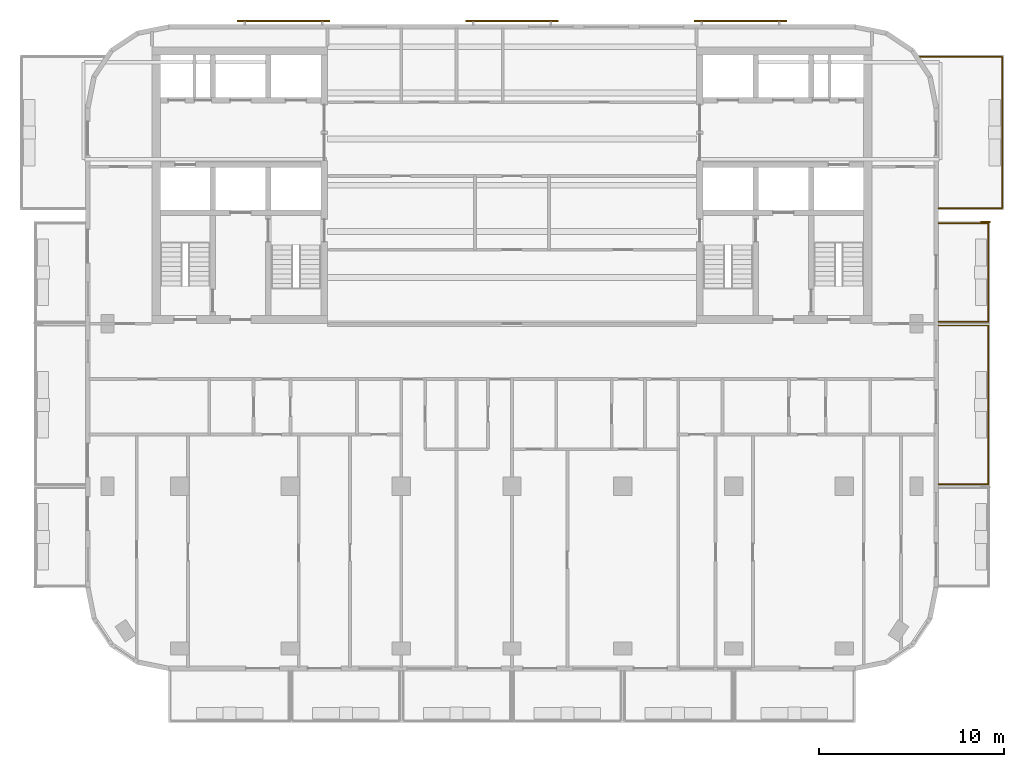
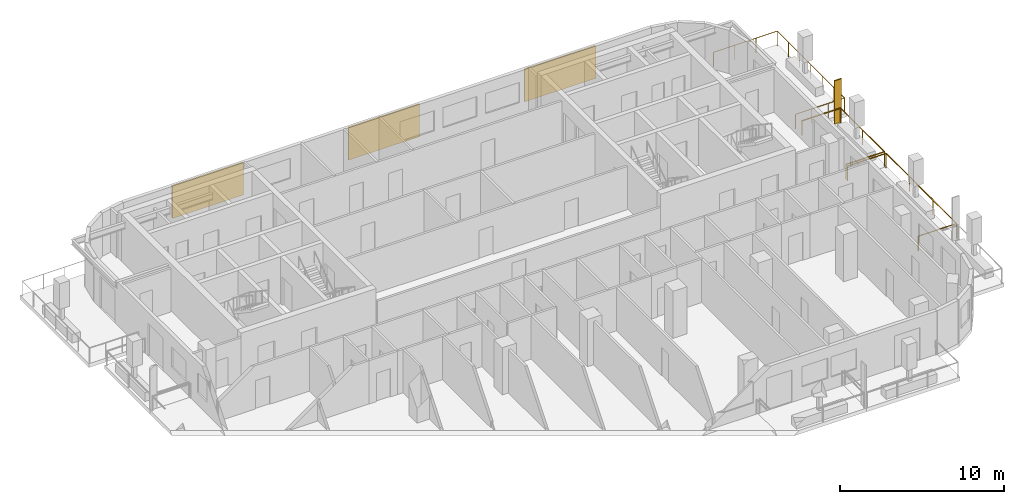
# One storey, part 10 of 11: 4 shading devices, 3 railings.
"""IFC4 building model written with IfcOpenShell, lengths in metres."""

from ifc_helpers import new_model, si_unit, direction, frame, origin, origin_2d, place, context, subcontext, project, spatial, rectangle, circle, extrude, material, layer, layer_set, type_object, element, save


model = new_model("IFC4")

# Units and contexts
model_context = context("Model", 3, precision=1e-05, world=origin(), true_north=direction((0.0, 1.0)))
body_context = subcontext(model_context, "Body", "Model", "MODEL_VIEW")
ifc_project = project(units=[si_unit("LENGTHUNIT", "METRE"), si_unit("AREAUNIT", "SQUARE_METRE"), si_unit("VOLUMEUNIT", "CUBIC_METRE"), si_unit("PLANEANGLEUNIT", "RADIAN"), si_unit("MASSUNIT", "GRAM", prefix="KILO")], contexts=[model_context])

# Site, building, storey
site_placement = place(None, origin())
site = spatial("IfcSite", under=ifc_project, at=site_placement, CompositionType="ELEMENT")
building_placement = place(site_placement, origin())
building = spatial("IfcBuilding", under=site, at=building_placement, Name="Torana Hotel and Residences", CompositionType="ELEMENT")
storey_placement = place(building_placement, frame((0.0, 0.0, 298.10009765625)))
storey = spatial("IfcBuildingStorey", under=building, at=storey_placement, Name="L79", CompositionType="ELEMENT", Elevation=298.10009765625)

# Shading device
ifc_material_1 = material(Name="Black powder coated aluminium", Category="aluminium")
ifc_layer_1 = layer(ifc_material_1, 0.080078125)
ifc_layer_set_1 = layer_set([ifc_layer_1], Name="FN1 VERTICAL FIN 500x80")
shading_device_type_1 = type_object("IfcShadingDeviceType", Name="FN1 VERTICAL FIN 500x80", PredefinedType="USERDEFINED", material=ifc_layer_set_1)
shading_device_placement = place(storey_placement, frame((25.64990234375, -9.489990234375, 0.0), z_axis=(0.0, 0.0, 1.0), x_axis=(0.0, -1.0, 0.0)))
element("IfcShadingDevice", 1, at=shading_device_placement, inside=storey, type_object=shading_device_type_1, Name="Fin 13", ObjectType="FIN", PredefinedType="USERDEFINED", context=body_context, shape_type="SweptSolid", body=[
    extrude(rectangle(XDim=0.080078125, YDim=0.5, at=origin_2d()), origin(), (0.0, 0.0, 1.0), 3.219970703125),
])

# Railings
ifc_material_2 = material(Name="Laminated glass balustrade with black handrail", Category="glass")
railing_type = type_object("IfcRailingType", Name="GR1 BALCONY GUARD 1100 GLASS", PredefinedType="GUARDRAIL", material=ifc_material_2)
railing_1_placement = place(storey_placement, frame((23.10009765625, -15.10009765625, 0.0)))
element("IfcRailing", 2, at=railing_1_placement, inside=storey, type_object=railing_type, Name="Balcony guard 12", PredefinedType="GUARDRAIL", context=body_context, shape_type="SweptSolid", body=[
    extrude(circle(Radius=0.02392578125, at=origin_2d()), frame((0.0, 0.0, 1.076171875), z_axis=(1.0, 0.0, 0.0), x_axis=(0.0, 1.0, 0.0)), (0.0, 0.0, 1.0), 2.699951171875),
    extrude(circle(Radius=0.02392578125, at=origin_2d()), frame((2.699951171875, 0.0, 1.076171875), z_axis=(0.0, -1.0, 0.0), x_axis=(1.0, 0.0, 0.0)), (0.0, 0.0, 1.0), 8.599853515625),
    extrude(circle(Radius=0.02392578125, at=origin_2d()), frame((2.699951171875, -8.599853515625, 1.076171875), z_axis=(-1.0, 0.0, 0.0), x_axis=(0.0, -1.0, 0.0)), (0.0, 0.0, 1.0), 2.699951171875),
    extrude(circle(Radius=0.02099609375, at=origin_2d()), origin(), (0.0, 0.0, 1.0), 1.052001953125),
    extrude(circle(Radius=0.02099609375, at=origin_2d()), frame((2.699951171875, 0.0, 0.0)), (0.0, 0.0, 1.0), 1.052001953125),
    extrude(circle(Radius=0.02099609375, at=origin_2d()), frame((2.699951171875, -2.86669921875, 0.0)), (0.0, 0.0, 1.0), 1.052001953125),
    extrude(circle(Radius=0.02099609375, at=origin_2d()), frame((2.699951171875, -5.733154296875, 0.0)), (0.0, 0.0, 1.0), 1.052001953125),
    extrude(circle(Radius=0.02099609375, at=origin_2d()), frame((2.699951171875, -8.599853515625, 0.0)), (0.0, 0.0, 1.0), 1.052001953125),
    extrude(circle(Radius=0.02099609375, at=origin_2d()), frame((0.0, -8.599853515625, 0.0)), (0.0, 0.0, 1.0), 1.052001953125),
])
railing_2_placement = place(storey_placement, frame((23.10009765625, -9.550048828125, 0.0)))
element("IfcRailing", 3, at=railing_2_placement, inside=storey, type_object=railing_type, Name="Balcony guard 13", PredefinedType="GUARDRAIL", context=body_context, shape_type="SweptSolid", body=[
    extrude(circle(Radius=0.02392578125, at=origin_2d()), frame((0.0, 0.0, 1.076171875), z_axis=(1.0, 0.0, 0.0), x_axis=(0.0, 1.0, 0.0)), (0.0, 0.0, 1.0), 2.699951171875),
    extrude(circle(Radius=0.02392578125, at=origin_2d()), frame((2.699951171875, 0.0, 1.076171875), z_axis=(0.0, -1.0, 0.0), x_axis=(1.0, 0.0, 0.0)), (0.0, 0.0, 1.0), 5.349853515625),
    extrude(circle(Radius=0.02392578125, at=origin_2d()), frame((2.699951171875, -5.349853515625, 1.076171875), z_axis=(-1.0, 0.0, 0.0), x_axis=(0.0, -1.0, 0.0)), (0.0, 0.0, 1.0), 2.699951171875),
    extrude(circle(Radius=0.02099609375, at=origin_2d()), origin(), (0.0, 0.0, 1.0), 1.052001953125),
    extrude(circle(Radius=0.02099609375, at=origin_2d()), frame((2.699951171875, 0.0, 0.0)), (0.0, 0.0, 1.0), 1.052001953125),
    extrude(circle(Radius=0.02099609375, at=origin_2d()), frame((2.699951171875, -2.6748046875, 0.0)), (0.0, 0.0, 1.0), 1.052001953125),
    extrude(circle(Radius=0.02099609375, at=origin_2d()), frame((2.699951171875, -5.349853515625, 0.0)), (0.0, 0.0, 1.0), 1.052001953125),
    extrude(circle(Radius=0.02099609375, at=origin_2d()), frame((0.0, -5.349853515625, 0.0)), (0.0, 0.0, 1.0), 1.052001953125),
])
railing_3_placement = place(storey_placement, frame((22.07080078125, -0.550048828125, 0.0)))
element("IfcRailing", 4, at=railing_3_placement, inside=storey, type_object=railing_type, Name="Balcony guard 14", PredefinedType="GUARDRAIL", context=body_context, shape_type="SweptSolid", body=[
    extrude(circle(Radius=0.02392578125, at=origin_2d()), frame((0.0, 0.0, 1.076171875), z_axis=(1.0, 0.0, 0.0), x_axis=(0.0, 1.0, 0.0)), (0.0, 0.0, 1.0), 4.479248046875),
    extrude(circle(Radius=0.02392578125, at=origin_2d()), frame((4.479248046875, 0.0, 1.076171875), z_axis=(0.0, -1.0, 0.0), x_axis=(1.0, 0.0, 0.0)), (0.0, 0.0, 1.0), 8.199951171875),
    extrude(circle(Radius=0.02392578125, at=origin_2d()), frame((4.479248046875, -8.199951171875, 1.076171875), z_axis=(-1.0, 0.0, 0.0), x_axis=(0.0, -1.0, 0.0)), (0.0, 0.0, 1.0), 3.449951171875),
    extrude(circle(Radius=0.02099609375, at=origin_2d()), origin(), (0.0, 0.0, 1.0), 1.052001953125),
    extrude(circle(Radius=0.02099609375, at=origin_2d()), frame((1.4931640625, 0.0, 0.0)), (0.0, 0.0, 1.0), 1.052001953125),
    extrude(circle(Radius=0.02099609375, at=origin_2d()), frame((2.986083984375, 0.0, 0.0)), (0.0, 0.0, 1.0), 1.052001953125),
    extrude(circle(Radius=0.02099609375, at=origin_2d()), frame((4.479248046875, 0.0, 0.0)), (0.0, 0.0, 1.0), 1.052001953125),
    extrude(circle(Radius=0.02099609375, at=origin_2d()), frame((4.479248046875, -1.36669921875, 0.0)), (0.0, 0.0, 1.0), 1.052001953125),
    extrude(circle(Radius=0.02099609375, at=origin_2d()), frame((4.479248046875, -2.7333984375, 0.0)), (0.0, 0.0, 1.0), 1.052001953125),
    extrude(circle(Radius=0.02099609375, at=origin_2d()), frame((4.479248046875, -4.10009765625, 0.0)), (0.0, 0.0, 1.0), 1.052001953125),
    extrude(circle(Radius=0.02099609375, at=origin_2d()), frame((4.479248046875, -5.466552734375, 0.0)), (0.0, 0.0, 1.0), 1.052001953125),
    extrude(circle(Radius=0.02099609375, at=origin_2d()), frame((4.479248046875, -6.833251953125, 0.0)), (0.0, 0.0, 1.0), 1.052001953125),
    extrude(circle(Radius=0.02099609375, at=origin_2d()), frame((4.479248046875, -8.199951171875, 0.0)), (0.0, 0.0, 1.0), 1.052001953125),
    extrude(circle(Radius=0.02099609375, at=origin_2d()), frame((3.329345703125, -8.199951171875, 0.0)), (0.0, 0.0, 1.0), 1.052001953125),
    extrude(circle(Radius=0.02099609375, at=origin_2d()), frame((2.17919921875, -8.199951171875, 0.0)), (0.0, 0.0, 1.0), 1.052001953125),
    extrude(circle(Radius=0.02099609375, at=origin_2d()), frame((1.029296875, -8.199951171875, 0.0)), (0.0, 0.0, 1.0), 1.052001953125),
])

# Shading devices
ifc_material_3 = material(Name="Concrete C40/50 precast", Category="concrete")
ifc_layer_2 = layer(ifc_material_3, 0.10009765625)
ifc_layer_set_2 = layer_set([ifc_layer_2], Name="SC1 PERFORATED BLOCK SCREEN PANEL 100")
shading_device_type_2 = type_object("IfcShadingDeviceType", Name="SC1 PERFORATED BLOCK SCREEN PANEL 100", PredefinedType="USERDEFINED", material=ifc_layer_set_2)
for number, where, z_axis, x_axis, name in (
    (5, (12.383544921875, 1.39990234375, 0.5), (0.0, 0.0, 1.0), (-1.0, 0.0, 0.0), "Perforated block screen L79"),
    (6, (0.0, 1.39990234375, 0.5), (0.0, 0.0, 1.0), (-1.0, 0.0, 0.0), "Perforated block screen L79"),
    (7, (-12.383544921875, 1.39990234375, 0.5), (0.0, 0.0, 1.0), (-1.0, 0.0, 0.0), "Perforated block screen L79"),
):
    element("IfcShadingDevice", number, at=place(storey_placement, frame(where, z_axis=z_axis, x_axis=x_axis)), inside=storey, type_object=shading_device_type_2, Name=name, ObjectType="SCREEN", PredefinedType="USERDEFINED", context=body_context, shape_type="SweptSolid", body=[
        extrude(rectangle(XDim=5.0, YDim=0.10009765625, at=origin_2d()), origin(), (0.0, 0.0, 1.0), 2.419921875),
    ])

save(model, "model.ifc")
